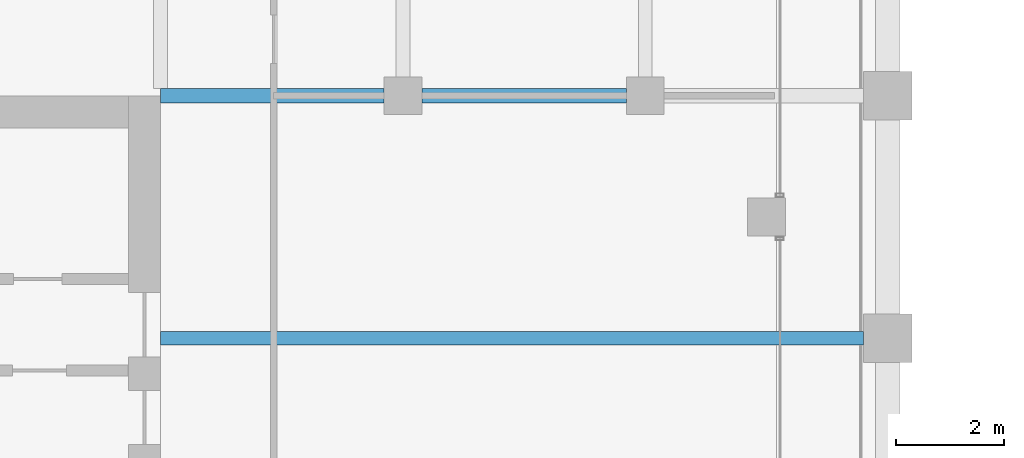
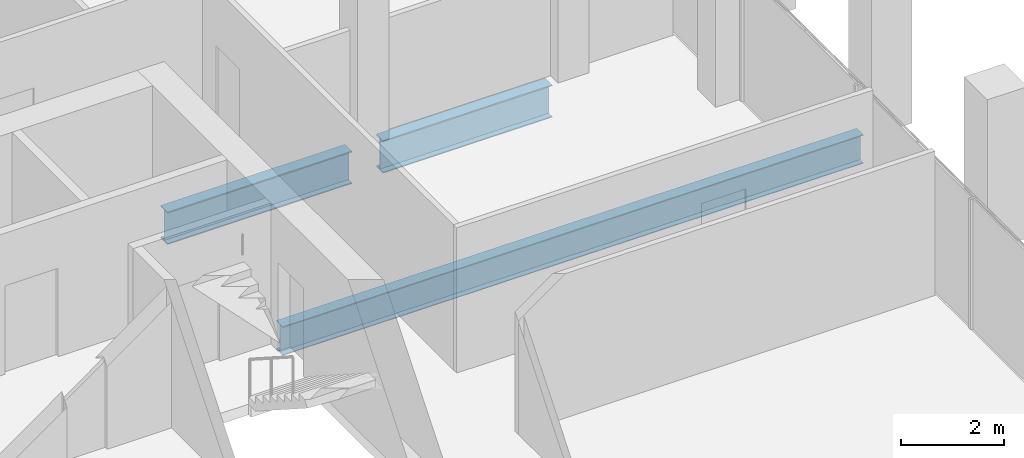
# One storey, part 18 of 40: 3 beams.
"""IFC4 building model written with IfcOpenShell, lengths in metres."""

from ifc_helpers import new_model, si_unit, direction, frame, origin, origin_2d, place, context, subcontext, project, spatial, i_section, extrude, material, material_profile, profile_set, type_object, element, save


model = new_model("IFC4")

# Units and contexts
model_context = context("Model", 3, precision=1e-05, world=origin(), true_north=direction((0.0, 1.0)))
body_context = subcontext(model_context, "Body", "Model", "MODEL_VIEW")
ifc_project = project(units=[si_unit("LENGTHUNIT", "METRE"), si_unit("AREAUNIT", "SQUARE_METRE"), si_unit("VOLUMEUNIT", "CUBIC_METRE"), si_unit("PLANEANGLEUNIT", "RADIAN"), si_unit("MASSUNIT", "GRAM", prefix="KILO")], contexts=[model_context])

# Site, building, storey
site_placement = place(None, origin())
site = spatial("IfcSite", under=ifc_project, at=site_placement, CompositionType="ELEMENT")
building_placement = place(site_placement, origin())
building = spatial("IfcBuilding", under=site, at=building_placement, Name="Altepetl Exchange Towers", CompositionType="ELEMENT")
storey_placement = place(building_placement, frame((0.0, 0.0, 169.0)))
storey = spatial("IfcBuildingStorey", under=building, at=storey_placement, Name="L42", CompositionType="ELEMENT", Elevation=169.0)

# Beams
ifc_material = material(Name="Steel S355", Category="steel")
ifc_material_profile_1 = material_profile(ifc_material, i_section(OverallWidth=0.25390625, OverallDepth=0.68408203125, WebThickness=0.012451171875, FlangeThickness=0.018798828125, at=origin_2d()), Name="W27X94")
ifc_profile_set_1 = profile_set([ifc_material_profile_1], Name="Steel S355")
beam_type_1 = type_object("IfcBeamType", Name="Floor beam W27X94", PredefinedType="BEAM", material=ifc_profile_set_1)
beam_1_placement = place(storey_placement, frame((58.5, 54.0, -0.491943359375), z_axis=(1.0, 0.0, 0.0), x_axis=(0.0, 1.0, 0.0)))
element("IfcBeam", 1, at=beam_1_placement, inside=storey, type_object=beam_type_1, Name="bm:A:L42:011", PredefinedType="BEAM", context=body_context, shape_type="SweptSolid", body=[
    extrude(i_section(OverallWidth=0.25390625, OverallDepth=0.68408203125, WebThickness=0.012451171875, FlangeThickness=0.018798828125, at=origin_2d()), origin(), (0.0, 0.0, 1.0), 13.050048828125),
])
ifc_material_profile_2 = material_profile(ifc_material, i_section(OverallWidth=0.26806640625, OverallDepth=0.77392578125, WebThickness=0.015380859375, FlangeThickness=0.025390625, at=origin_2d()), Name="W30X132")
ifc_profile_set_2 = profile_set([ifc_material_profile_2], Name="Steel S355")
beam_type_2 = type_object("IfcBeamType", Name="Girder W30X132", PredefinedType="BEAM", material=ifc_profile_set_2)
beam_2_placement = place(storey_placement, frame((58.5, 58.5, -0.537109375), z_axis=(1.0, 0.0, 0.0), x_axis=(0.0, 1.0, 0.0)))
element("IfcBeam", 2, at=beam_2_placement, inside=storey, type_object=beam_type_2, Name="gd:A:L42:000", PredefinedType="BEAM", context=body_context, shape_type="SweptSolid", body=[
    extrude(i_section(OverallWidth=0.26806640625, OverallDepth=0.77392578125, WebThickness=0.015380859375, FlangeThickness=0.025390625, at=origin_2d()), origin(), (0.0, 0.0, 1.0), 4.14990234375),
])
beam_3_placement = place(storey_placement, frame((63.35009765625, 58.5, -0.537109375), z_axis=(1.0, 0.0, 0.0), x_axis=(0.0, 1.0, 0.0)))
element("IfcBeam", 3, at=beam_3_placement, inside=storey, type_object=beam_type_2, Name="gd:A:L42:001", PredefinedType="BEAM", context=body_context, shape_type="SweptSolid", body=[
    extrude(i_section(OverallWidth=0.26806640625, OverallDepth=0.77392578125, WebThickness=0.015380859375, FlangeThickness=0.025390625, at=origin_2d()), origin(), (0.0, 0.0, 1.0), 3.7998046875),
])

save(model, "model.ifc")
